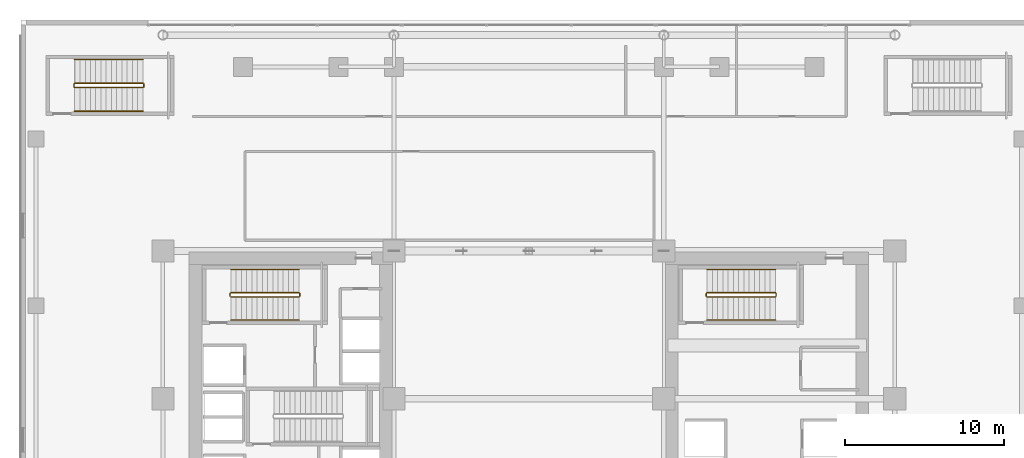
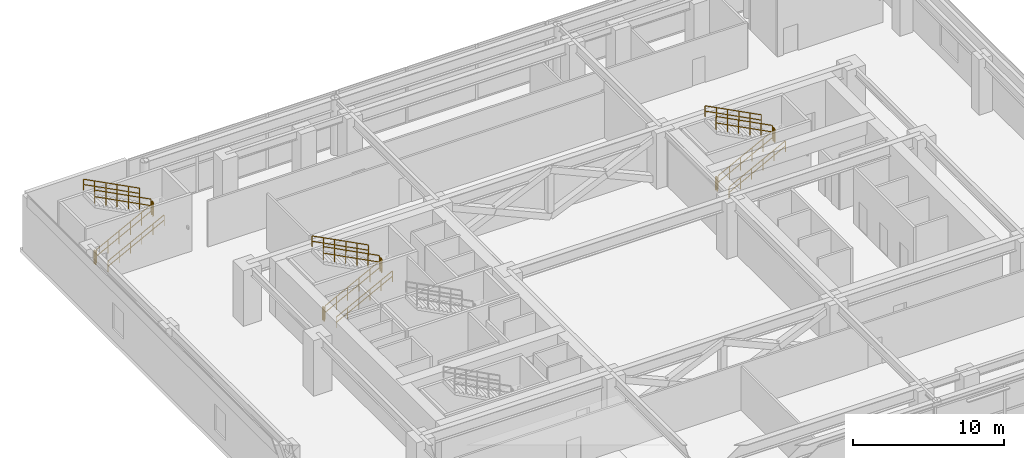
# One storey, part 26 of 28: 18 railings.
"""IFC4 building model written with IfcOpenShell, lengths in metres."""

from ifc_helpers import new_model, si_unit, direction, frame, origin, origin_2d, place, context, subcontext, project, spatial, rectangle, extrude, material, type_object, element, save


model = new_model("IFC4")

# Units and contexts
model_context = context("Model", 3, precision=1e-05, world=origin(), true_north=direction((0.0, 1.0)))
body_context = subcontext(model_context, "Body", "Model", "MODEL_VIEW")
ifc_project = project(units=[si_unit("LENGTHUNIT", "METRE"), si_unit("AREAUNIT", "SQUARE_METRE"), si_unit("VOLUMEUNIT", "CUBIC_METRE"), si_unit("PLANEANGLEUNIT", "RADIAN"), si_unit("MASSUNIT", "GRAM", prefix="KILO")], contexts=[model_context])

# Site, building, storey
site_placement = place(None, origin())
site = spatial("IfcSite", under=ifc_project, at=site_placement, CompositionType="ELEMENT")
building_placement = place(site_placement, origin())
building = spatial("IfcBuilding", under=site, at=building_placement, Name="Ocotamira Hotel", CompositionType="ELEMENT")
storey_placement = place(building_placement, frame((0.0, 0.0, 24.0)))
storey = spatial("IfcBuildingStorey", under=building, at=storey_placement, Name="L05", CompositionType="ELEMENT", Elevation=24.0)

# Railings
ifc_material_1 = material(Name="Brushed stainless steel handrail", Category="steel")
railing_type_1 = type_object("IfcRailingType", Name="RL-HAND-900", PredefinedType="HANDRAIL", material=ifc_material_1)
railing_1_placement = place(storey_placement, frame((13.22998046875, 33.10009765625, 0.3427734375)))
element("IfcRailing", 1, at=railing_1_placement, inside=storey, type_object=railing_type_1, Name="L05 ST-2 stair handrail 1", PredefinedType="HANDRAIL", context=body_context, shape_type="SweptSolid", body=[
    extrude(rectangle(XDim=0.048095703125, YDim=0.048095703125, at=origin_2d()), frame((0.0, 0.0, 0.8759765625), z_axis=(0.887391199149, 0.0, 0.46101720106), x_axis=(0.0, 1.0, 0.0)), (0.0, 0.0, 1.0), 4.83447265625),
    extrude(rectangle(XDim=0.048095703125, YDim=0.048095703125, at=origin_2d()), frame((0.0, 0.0, 0.449951171875), z_axis=(0.887391199149, 0.0, 0.46101720106), x_axis=(0.0, 1.0, 0.0)), (0.0, 0.0, 1.0), 4.83447265625),
    extrude(rectangle(XDim=0.0419921875, YDim=0.0419921875, at=origin_2d()), origin(), (0.0, 0.0, 1.0), 0.851806640625),
    extrude(rectangle(XDim=0.0419921875, YDim=0.0419921875, at=origin_2d()), frame((0.85791015625, 0.0, 0.44580078125)), (0.0, 0.0, 1.0), 0.851806640625),
    extrude(rectangle(XDim=0.0419921875, YDim=0.0419921875, at=origin_2d()), frame((1.716064453125, 0.0, 0.8916015625)), (0.0, 0.0, 1.0), 0.851806640625),
    extrude(rectangle(XDim=0.0419921875, YDim=0.0419921875, at=origin_2d()), frame((2.573974609375, 0.0, 1.337158203125)), (0.0, 0.0, 1.0), 0.851806640625),
    extrude(rectangle(XDim=0.0419921875, YDim=0.0419921875, at=origin_2d()), frame((3.43212890625, 0.0, 1.782958984375)), (0.0, 0.0, 1.0), 0.851806640625),
    extrude(rectangle(XDim=0.0419921875, YDim=0.0419921875, at=origin_2d()), frame((4.2900390625, 0.0, 2.228759765625)), (0.0, 0.0, 1.0), 0.851806640625),
])
railing_2_placement = place(storey_placement, frame((17.52001953125, 36.280029296875, 2.742919921875)))
element("IfcRailing", 2, at=railing_2_placement, inside=storey, type_object=railing_type_1, Name="L05 ST-2 stair handrail 2", PredefinedType="HANDRAIL", context=body_context, shape_type="SweptSolid", body=[
    extrude(rectangle(XDim=0.048095703125, YDim=0.048095703125, at=origin_2d()), frame((0.0, 0.0, 0.8759765625), z_axis=(-0.887411858541, 0.0, 0.46097743255), x_axis=(0.0, -1.0, 0.0)), (0.0, 0.0, 1.0), 4.834228515625),
    extrude(rectangle(XDim=0.048095703125, YDim=0.048095703125, at=origin_2d()), frame((0.0, 0.0, 0.449951171875), z_axis=(-0.887411858541, 0.0, 0.46097743255), x_axis=(0.0, -1.0, 0.0)), (0.0, 0.0, 1.0), 4.834228515625),
    extrude(rectangle(XDim=0.0419921875, YDim=0.0419921875, at=origin_2d()), origin(), (0.0, 0.0, 1.0), 0.851806640625),
    extrude(rectangle(XDim=0.0419921875, YDim=0.0419921875, at=origin_2d()), frame((-0.85791015625, 0.0, 0.44580078125)), (0.0, 0.0, 1.0), 0.851806640625),
    extrude(rectangle(XDim=0.0419921875, YDim=0.0419921875, at=origin_2d()), frame((-1.716064453125, 0.0, 0.891357421875)), (0.0, 0.0, 1.0), 0.851806640625),
    extrude(rectangle(XDim=0.0419921875, YDim=0.0419921875, at=origin_2d()), frame((-2.573974609375, 0.0, 1.337158203125)), (0.0, 0.0, 1.0), 0.851806640625),
    extrude(rectangle(XDim=0.0419921875, YDim=0.0419921875, at=origin_2d()), frame((-3.43212890625, 0.0, 1.78271484375)), (0.0, 0.0, 1.0), 0.851806640625),
    extrude(rectangle(XDim=0.0419921875, YDim=0.0419921875, at=origin_2d()), frame((-4.2900390625, 0.0, 2.228515625)), (0.0, 0.0, 1.0), 0.851806640625),
])
railing_3_placement = place(storey_placement, frame((43.22998046875, 33.10009765625, 0.3427734375)))
element("IfcRailing", 3, at=railing_3_placement, inside=storey, type_object=railing_type_1, Name="L05 ST-4 stair handrail 1", PredefinedType="HANDRAIL", context=body_context, shape_type="SweptSolid", body=[
    extrude(rectangle(XDim=0.048095703125, YDim=0.048095703125, at=origin_2d()), frame((0.0, 0.0, 0.8759765625), z_axis=(0.887391199149, 0.0, 0.46101720106), x_axis=(0.0, 1.0, 0.0)), (0.0, 0.0, 1.0), 4.83447265625),
    extrude(rectangle(XDim=0.048095703125, YDim=0.048095703125, at=origin_2d()), frame((0.0, 0.0, 0.449951171875), z_axis=(0.887391199149, 0.0, 0.46101720106), x_axis=(0.0, 1.0, 0.0)), (0.0, 0.0, 1.0), 4.83447265625),
    extrude(rectangle(XDim=0.0419921875, YDim=0.0419921875, at=origin_2d()), origin(), (0.0, 0.0, 1.0), 0.851806640625),
    extrude(rectangle(XDim=0.0419921875, YDim=0.0419921875, at=origin_2d()), frame((0.85791015625, 0.0, 0.44580078125)), (0.0, 0.0, 1.0), 0.851806640625),
    extrude(rectangle(XDim=0.0419921875, YDim=0.0419921875, at=origin_2d()), frame((1.716064453125, 0.0, 0.8916015625)), (0.0, 0.0, 1.0), 0.851806640625),
    extrude(rectangle(XDim=0.0419921875, YDim=0.0419921875, at=origin_2d()), frame((2.573974609375, 0.0, 1.337158203125)), (0.0, 0.0, 1.0), 0.851806640625),
    extrude(rectangle(XDim=0.0419921875, YDim=0.0419921875, at=origin_2d()), frame((3.43212890625, 0.0, 1.782958984375)), (0.0, 0.0, 1.0), 0.851806640625),
    extrude(rectangle(XDim=0.0419921875, YDim=0.0419921875, at=origin_2d()), frame((4.2900390625, 0.0, 2.228759765625)), (0.0, 0.0, 1.0), 0.851806640625),
])
railing_4_placement = place(storey_placement, frame((47.52001953125, 36.280029296875, 2.742919921875)))
element("IfcRailing", 4, at=railing_4_placement, inside=storey, type_object=railing_type_1, Name="L05 ST-4 stair handrail 2", PredefinedType="HANDRAIL", context=body_context, shape_type="SweptSolid", body=[
    extrude(rectangle(XDim=0.048095703125, YDim=0.048095703125, at=origin_2d()), frame((0.0, 0.0, 0.8759765625), z_axis=(-0.887411858541, 0.0, 0.46097743255), x_axis=(0.0, -1.0, 0.0)), (0.0, 0.0, 1.0), 4.834228515625),
    extrude(rectangle(XDim=0.048095703125, YDim=0.048095703125, at=origin_2d()), frame((0.0, 0.0, 0.449951171875), z_axis=(-0.887411858541, 0.0, 0.46097743255), x_axis=(0.0, -1.0, 0.0)), (0.0, 0.0, 1.0), 4.834228515625),
    extrude(rectangle(XDim=0.0419921875, YDim=0.0419921875, at=origin_2d()), origin(), (0.0, 0.0, 1.0), 0.851806640625),
    extrude(rectangle(XDim=0.0419921875, YDim=0.0419921875, at=origin_2d()), frame((-0.85791015625, 0.0, 0.44580078125)), (0.0, 0.0, 1.0), 0.851806640625),
    extrude(rectangle(XDim=0.0419921875, YDim=0.0419921875, at=origin_2d()), frame((-1.716064453125, 0.0, 0.891357421875)), (0.0, 0.0, 1.0), 0.851806640625),
    extrude(rectangle(XDim=0.0419921875, YDim=0.0419921875, at=origin_2d()), frame((-2.573974609375, 0.0, 1.337158203125)), (0.0, 0.0, 1.0), 0.851806640625),
    extrude(rectangle(XDim=0.0419921875, YDim=0.0419921875, at=origin_2d()), frame((-3.43212890625, 0.0, 1.78271484375)), (0.0, 0.0, 1.0), 0.851806640625),
    extrude(rectangle(XDim=0.0419921875, YDim=0.0419921875, at=origin_2d()), frame((-4.2900390625, 0.0, 2.228515625)), (0.0, 0.0, 1.0), 0.851806640625),
])
railing_5_placement = place(storey_placement, frame((3.39990234375, 46.25, 0.3427734375)))
element("IfcRailing", 5, at=railing_5_placement, inside=storey, type_object=railing_type_1, Name="L05 ST-5 stair handrail 1", PredefinedType="HANDRAIL", context=body_context, shape_type="SweptSolid", body=[
    extrude(rectangle(XDim=0.048095703125, YDim=0.048095703125, at=origin_2d()), frame((0.0, 0.0, 0.8759765625), z_axis=(0.887391199149, 0.0, 0.46101720106), x_axis=(0.0, 1.0, 0.0)), (0.0, 0.0, 1.0), 4.83447265625),
    extrude(rectangle(XDim=0.048095703125, YDim=0.048095703125, at=origin_2d()), frame((0.0, 0.0, 0.449951171875), z_axis=(0.887391199149, 0.0, 0.46101720106), x_axis=(0.0, 1.0, 0.0)), (0.0, 0.0, 1.0), 4.83447265625),
    extrude(rectangle(XDim=0.0419921875, YDim=0.0419921875, at=origin_2d()), origin(), (0.0, 0.0, 1.0), 0.851806640625),
    extrude(rectangle(XDim=0.0419921875, YDim=0.0419921875, at=origin_2d()), frame((0.85791015625, 0.0, 0.44580078125)), (0.0, 0.0, 1.0), 0.851806640625),
    extrude(rectangle(XDim=0.0419921875, YDim=0.0419921875, at=origin_2d()), frame((1.716064453125, 0.0, 0.8916015625)), (0.0, 0.0, 1.0), 0.851806640625),
    extrude(rectangle(XDim=0.0419921875, YDim=0.0419921875, at=origin_2d()), frame((2.573974609375, 0.0, 1.337158203125)), (0.0, 0.0, 1.0), 0.851806640625),
    extrude(rectangle(XDim=0.0419921875, YDim=0.0419921875, at=origin_2d()), frame((3.43212890625, 0.0, 1.782958984375)), (0.0, 0.0, 1.0), 0.851806640625),
    extrude(rectangle(XDim=0.0419921875, YDim=0.0419921875, at=origin_2d()), frame((4.2900390625, 0.0, 2.228759765625)), (0.0, 0.0, 1.0), 0.851806640625),
])
railing_6_placement = place(storey_placement, frame((7.68994140625, 49.510009765625, 2.742919921875)))
element("IfcRailing", 6, at=railing_6_placement, inside=storey, type_object=railing_type_1, Name="L05 ST-5 stair handrail 2", PredefinedType="HANDRAIL", context=body_context, shape_type="SweptSolid", body=[
    extrude(rectangle(XDim=0.048095703125, YDim=0.048095703125, at=origin_2d()), frame((0.0, 0.0, 0.8759765625), z_axis=(-0.887411858541, 0.0, 0.46097743255), x_axis=(0.0, -1.0, 0.0)), (0.0, 0.0, 1.0), 4.834228515625),
    extrude(rectangle(XDim=0.048095703125, YDim=0.048095703125, at=origin_2d()), frame((0.0, 0.0, 0.449951171875), z_axis=(-0.887411858541, 0.0, 0.46097743255), x_axis=(0.0, -1.0, 0.0)), (0.0, 0.0, 1.0), 4.834228515625),
    extrude(rectangle(XDim=0.0419921875, YDim=0.0419921875, at=origin_2d()), origin(), (0.0, 0.0, 1.0), 0.851806640625),
    extrude(rectangle(XDim=0.0419921875, YDim=0.0419921875, at=origin_2d()), frame((-0.85791015625, 0.0, 0.44580078125)), (0.0, 0.0, 1.0), 0.851806640625),
    extrude(rectangle(XDim=0.0419921875, YDim=0.0419921875, at=origin_2d()), frame((-1.716064453125, 0.0, 0.891357421875)), (0.0, 0.0, 1.0), 0.851806640625),
    extrude(rectangle(XDim=0.0419921875, YDim=0.0419921875, at=origin_2d()), frame((-2.573974609375, 0.0, 1.337158203125)), (0.0, 0.0, 1.0), 0.851806640625),
    extrude(rectangle(XDim=0.0419921875, YDim=0.0419921875, at=origin_2d()), frame((-3.43212890625, 0.0, 1.78271484375)), (0.0, 0.0, 1.0), 0.851806640625),
    extrude(rectangle(XDim=0.0419921875, YDim=0.0419921875, at=origin_2d()), frame((-4.2900390625, 0.0, 2.228515625)), (0.0, 0.0, 1.0), 0.851806640625),
])
ifc_material_2 = material(Name="Painted steel stair guardrail", Category="steel")
railing_type_2 = type_object("IfcRailingType", Name="RL-STAIR-1100", PredefinedType="GUARDRAIL", material=ifc_material_2)
railing_7_placement = place(storey_placement, frame((13.22998046875, 34.56005859375, 0.17138671875)))
element("IfcRailing", 7, at=railing_7_placement, inside=storey, type_object=railing_type_2, Name="L05 ST-2 stair guard 1", PredefinedType="GUARDRAIL", context=body_context, shape_type="SweptSolid", body=[
    extrude(rectangle(XDim=0.048095703125, YDim=0.048095703125, at=origin_2d()), frame((0.0, 0.0, 1.076171875), z_axis=(0.887411858541, 0.0, 0.46097743255), x_axis=(0.0, 1.0, 0.0)), (0.0, 0.0, 1.0), 4.834228515625),
    extrude(rectangle(XDim=0.048095703125, YDim=0.048095703125, at=origin_2d()), frame((0.0, 0.0, 0.550048828125), z_axis=(0.887411858541, 0.0, 0.46097743255), x_axis=(0.0, 1.0, 0.0)), (0.0, 0.0, 1.0), 4.834228515625),
    extrude(rectangle(XDim=0.0419921875, YDim=0.0419921875, at=origin_2d()), origin(), (0.0, 0.0, 1.0), 1.052001953125),
    extrude(rectangle(XDim=0.0419921875, YDim=0.0419921875, at=origin_2d()), frame((0.85791015625, 0.0, 0.44580078125)), (0.0, 0.0, 1.0), 1.052001953125),
    extrude(rectangle(XDim=0.0419921875, YDim=0.0419921875, at=origin_2d()), frame((1.716064453125, 0.0, 0.891357421875)), (0.0, 0.0, 1.0), 1.052001953125),
    extrude(rectangle(XDim=0.0419921875, YDim=0.0419921875, at=origin_2d()), frame((2.573974609375, 0.0, 1.337158203125)), (0.0, 0.0, 1.0), 1.052001953125),
    extrude(rectangle(XDim=0.0419921875, YDim=0.0419921875, at=origin_2d()), frame((3.43212890625, 0.0, 1.78271484375)), (0.0, 0.0, 1.0), 1.052001953125),
    extrude(rectangle(XDim=0.0419921875, YDim=0.0419921875, at=origin_2d()), frame((4.2900390625, 0.0, 2.228515625)), (0.0, 0.0, 1.0), 1.052001953125),
])
railing_8_placement = place(storey_placement, frame((17.570068359375, 34.610107421875, 2.39990234375)))
element("IfcRailing", 8, at=railing_8_placement, inside=storey, type_object=railing_type_2, Name="L05 ST-2 stair guard 2", PredefinedType="GUARDRAIL", context=body_context, shape_type="SweptSolid", body=[
    extrude(rectangle(XDim=0.048095703125, YDim=0.048095703125, at=origin_2d()), frame((0.0, 0.0, 1.076171875), z_axis=(0.0, 1.0, 0.0), x_axis=(-1.0, 0.0, 0.0)), (0.0, 0.0, 1.0), 0.159912109375),
    extrude(rectangle(XDim=0.048095703125, YDim=0.048095703125, at=origin_2d()), frame((0.0, 0.0, 0.550048828125), z_axis=(0.0, 1.0, 0.0), x_axis=(-1.0, 0.0, 0.0)), (0.0, 0.0, 1.0), 0.159912109375),
    extrude(rectangle(XDim=0.0419921875, YDim=0.0419921875, at=origin_2d()), origin(), (0.0, 0.0, 1.0), 1.052001953125),
    extrude(rectangle(XDim=0.0419921875, YDim=0.0419921875, at=origin_2d()), frame((0.0, 0.159912109375, 0.0)), (0.0, 0.0, 1.0), 1.052001953125),
])
railing_9_placement = place(storey_placement, frame((17.52001953125, 34.820068359375, 2.571533203125)))
element("IfcRailing", 9, at=railing_9_placement, inside=storey, type_object=railing_type_2, Name="L05 ST-2 stair guard 3", PredefinedType="GUARDRAIL", context=body_context, shape_type="SweptSolid", body=[
    extrude(rectangle(XDim=0.048095703125, YDim=0.048095703125, at=origin_2d()), frame((0.0, 0.0, 1.076171875), z_axis=(-0.887411858541, 0.0, 0.46097743255), x_axis=(0.0, -1.0, 0.0)), (0.0, 0.0, 1.0), 4.834228515625),
    extrude(rectangle(XDim=0.048095703125, YDim=0.048095703125, at=origin_2d()), frame((0.0, 0.0, 0.550048828125), z_axis=(-0.887411858541, 0.0, 0.46097743255), x_axis=(0.0, -1.0, 0.0)), (0.0, 0.0, 1.0), 4.834228515625),
    extrude(rectangle(XDim=0.0419921875, YDim=0.0419921875, at=origin_2d()), origin(), (0.0, 0.0, 1.0), 1.052001953125),
    extrude(rectangle(XDim=0.0419921875, YDim=0.0419921875, at=origin_2d()), frame((-0.85791015625, 0.0, 0.44580078125)), (0.0, 0.0, 1.0), 1.052001953125),
    extrude(rectangle(XDim=0.0419921875, YDim=0.0419921875, at=origin_2d()), frame((-1.716064453125, 0.0, 0.891357421875)), (0.0, 0.0, 1.0), 1.052001953125),
    extrude(rectangle(XDim=0.0419921875, YDim=0.0419921875, at=origin_2d()), frame((-2.573974609375, 0.0, 1.337158203125)), (0.0, 0.0, 1.0), 1.052001953125),
    extrude(rectangle(XDim=0.0419921875, YDim=0.0419921875, at=origin_2d()), frame((-3.43212890625, 0.0, 1.78271484375)), (0.0, 0.0, 1.0), 1.052001953125),
    extrude(rectangle(XDim=0.0419921875, YDim=0.0419921875, at=origin_2d()), frame((-4.2900390625, 0.0, 2.228515625)), (0.0, 0.0, 1.0), 1.052001953125),
])
railing_10_placement = place(storey_placement, frame((13.179931640625, 34.610107421875, 0.0)))
element("IfcRailing", 10, at=railing_10_placement, inside=storey, type_object=railing_type_2, Name="L05 ST-2 stair guard 4", PredefinedType="GUARDRAIL", context=body_context, shape_type="SweptSolid", body=[
    extrude(rectangle(XDim=0.048095703125, YDim=0.048095703125, at=origin_2d()), frame((0.0, 0.0, 1.076171875), z_axis=(0.0, 1.0, 0.0), x_axis=(-1.0, 0.0, 0.0)), (0.0, 0.0, 1.0), 0.159912109375),
    extrude(rectangle(XDim=0.048095703125, YDim=0.048095703125, at=origin_2d()), frame((0.0, 0.0, 0.550048828125), z_axis=(0.0, 1.0, 0.0), x_axis=(-1.0, 0.0, 0.0)), (0.0, 0.0, 1.0), 0.159912109375),
    extrude(rectangle(XDim=0.0419921875, YDim=0.0419921875, at=origin_2d()), origin(), (0.0, 0.0, 1.0), 1.052001953125),
    extrude(rectangle(XDim=0.0419921875, YDim=0.0419921875, at=origin_2d()), frame((0.0, 0.159912109375, 0.0)), (0.0, 0.0, 1.0), 1.052001953125),
])
railing_11_placement = place(storey_placement, frame((43.22998046875, 34.56005859375, 0.17138671875)))
element("IfcRailing", 11, at=railing_11_placement, inside=storey, type_object=railing_type_2, Name="L05 ST-4 stair guard 1", PredefinedType="GUARDRAIL", context=body_context, shape_type="SweptSolid", body=[
    extrude(rectangle(XDim=0.048095703125, YDim=0.048095703125, at=origin_2d()), frame((0.0, 0.0, 1.076171875), z_axis=(0.887411858541, 0.0, 0.46097743255), x_axis=(0.0, 1.0, 0.0)), (0.0, 0.0, 1.0), 4.834228515625),
    extrude(rectangle(XDim=0.048095703125, YDim=0.048095703125, at=origin_2d()), frame((0.0, 0.0, 0.550048828125), z_axis=(0.887411858541, 0.0, 0.46097743255), x_axis=(0.0, 1.0, 0.0)), (0.0, 0.0, 1.0), 4.834228515625),
    extrude(rectangle(XDim=0.0419921875, YDim=0.0419921875, at=origin_2d()), origin(), (0.0, 0.0, 1.0), 1.052001953125),
    extrude(rectangle(XDim=0.0419921875, YDim=0.0419921875, at=origin_2d()), frame((0.85791015625, 0.0, 0.44580078125)), (0.0, 0.0, 1.0), 1.052001953125),
    extrude(rectangle(XDim=0.0419921875, YDim=0.0419921875, at=origin_2d()), frame((1.716064453125, 0.0, 0.891357421875)), (0.0, 0.0, 1.0), 1.052001953125),
    extrude(rectangle(XDim=0.0419921875, YDim=0.0419921875, at=origin_2d()), frame((2.573974609375, 0.0, 1.337158203125)), (0.0, 0.0, 1.0), 1.052001953125),
    extrude(rectangle(XDim=0.0419921875, YDim=0.0419921875, at=origin_2d()), frame((3.43212890625, 0.0, 1.78271484375)), (0.0, 0.0, 1.0), 1.052001953125),
    extrude(rectangle(XDim=0.0419921875, YDim=0.0419921875, at=origin_2d()), frame((4.2900390625, 0.0, 2.228515625)), (0.0, 0.0, 1.0), 1.052001953125),
])
railing_12_placement = place(storey_placement, frame((47.570068359375, 34.610107421875, 2.39990234375)))
element("IfcRailing", 12, at=railing_12_placement, inside=storey, type_object=railing_type_2, Name="L05 ST-4 stair guard 2", PredefinedType="GUARDRAIL", context=body_context, shape_type="SweptSolid", body=[
    extrude(rectangle(XDim=0.048095703125, YDim=0.048095703125, at=origin_2d()), frame((0.0, 0.0, 1.076171875), z_axis=(0.0, 1.0, 0.0), x_axis=(-1.0, 0.0, 0.0)), (0.0, 0.0, 1.0), 0.159912109375),
    extrude(rectangle(XDim=0.048095703125, YDim=0.048095703125, at=origin_2d()), frame((0.0, 0.0, 0.550048828125), z_axis=(0.0, 1.0, 0.0), x_axis=(-1.0, 0.0, 0.0)), (0.0, 0.0, 1.0), 0.159912109375),
    extrude(rectangle(XDim=0.0419921875, YDim=0.0419921875, at=origin_2d()), origin(), (0.0, 0.0, 1.0), 1.052001953125),
    extrude(rectangle(XDim=0.0419921875, YDim=0.0419921875, at=origin_2d()), frame((0.0, 0.159912109375, 0.0)), (0.0, 0.0, 1.0), 1.052001953125),
])
railing_13_placement = place(storey_placement, frame((47.52001953125, 34.820068359375, 2.571533203125)))
element("IfcRailing", 13, at=railing_13_placement, inside=storey, type_object=railing_type_2, Name="L05 ST-4 stair guard 3", PredefinedType="GUARDRAIL", context=body_context, shape_type="SweptSolid", body=[
    extrude(rectangle(XDim=0.048095703125, YDim=0.048095703125, at=origin_2d()), frame((0.0, 0.0, 1.076171875), z_axis=(-0.887411858541, 0.0, 0.46097743255), x_axis=(0.0, -1.0, 0.0)), (0.0, 0.0, 1.0), 4.834228515625),
    extrude(rectangle(XDim=0.048095703125, YDim=0.048095703125, at=origin_2d()), frame((0.0, 0.0, 0.550048828125), z_axis=(-0.887411858541, 0.0, 0.46097743255), x_axis=(0.0, -1.0, 0.0)), (0.0, 0.0, 1.0), 4.834228515625),
    extrude(rectangle(XDim=0.0419921875, YDim=0.0419921875, at=origin_2d()), origin(), (0.0, 0.0, 1.0), 1.052001953125),
    extrude(rectangle(XDim=0.0419921875, YDim=0.0419921875, at=origin_2d()), frame((-0.85791015625, 0.0, 0.44580078125)), (0.0, 0.0, 1.0), 1.052001953125),
    extrude(rectangle(XDim=0.0419921875, YDim=0.0419921875, at=origin_2d()), frame((-1.716064453125, 0.0, 0.891357421875)), (0.0, 0.0, 1.0), 1.052001953125),
    extrude(rectangle(XDim=0.0419921875, YDim=0.0419921875, at=origin_2d()), frame((-2.573974609375, 0.0, 1.337158203125)), (0.0, 0.0, 1.0), 1.052001953125),
    extrude(rectangle(XDim=0.0419921875, YDim=0.0419921875, at=origin_2d()), frame((-3.43212890625, 0.0, 1.78271484375)), (0.0, 0.0, 1.0), 1.052001953125),
    extrude(rectangle(XDim=0.0419921875, YDim=0.0419921875, at=origin_2d()), frame((-4.2900390625, 0.0, 2.228515625)), (0.0, 0.0, 1.0), 1.052001953125),
])
railing_14_placement = place(storey_placement, frame((43.179931640625, 34.610107421875, 0.0)))
element("IfcRailing", 14, at=railing_14_placement, inside=storey, type_object=railing_type_2, Name="L05 ST-4 stair guard 4", PredefinedType="GUARDRAIL", context=body_context, shape_type="SweptSolid", body=[
    extrude(rectangle(XDim=0.048095703125, YDim=0.048095703125, at=origin_2d()), frame((0.0, 0.0, 1.076171875), z_axis=(0.0, 1.0, 0.0), x_axis=(-1.0, 0.0, 0.0)), (0.0, 0.0, 1.0), 0.159912109375),
    extrude(rectangle(XDim=0.048095703125, YDim=0.048095703125, at=origin_2d()), frame((0.0, 0.0, 0.550048828125), z_axis=(0.0, 1.0, 0.0), x_axis=(-1.0, 0.0, 0.0)), (0.0, 0.0, 1.0), 0.159912109375),
    extrude(rectangle(XDim=0.0419921875, YDim=0.0419921875, at=origin_2d()), origin(), (0.0, 0.0, 1.0), 1.052001953125),
    extrude(rectangle(XDim=0.0419921875, YDim=0.0419921875, at=origin_2d()), frame((0.0, 0.159912109375, 0.0)), (0.0, 0.0, 1.0), 1.052001953125),
])
railing_15_placement = place(storey_placement, frame((3.39990234375, 47.75, 0.17138671875)))
element("IfcRailing", 15, at=railing_15_placement, inside=storey, type_object=railing_type_2, Name="L05 ST-5 stair guard 1", PredefinedType="GUARDRAIL", context=body_context, shape_type="SweptSolid", body=[
    extrude(rectangle(XDim=0.048095703125, YDim=0.048095703125, at=origin_2d()), frame((0.0, 0.0, 1.076171875), z_axis=(0.887411858541, 0.0, 0.46097743255), x_axis=(0.0, 1.0, 0.0)), (0.0, 0.0, 1.0), 4.834228515625),
    extrude(rectangle(XDim=0.048095703125, YDim=0.048095703125, at=origin_2d()), frame((0.0, 0.0, 0.550048828125), z_axis=(0.887411858541, 0.0, 0.46097743255), x_axis=(0.0, 1.0, 0.0)), (0.0, 0.0, 1.0), 4.834228515625),
    extrude(rectangle(XDim=0.0419921875, YDim=0.0419921875, at=origin_2d()), origin(), (0.0, 0.0, 1.0), 1.052001953125),
    extrude(rectangle(XDim=0.0419921875, YDim=0.0419921875, at=origin_2d()), frame((0.85791015625, 0.0, 0.44580078125)), (0.0, 0.0, 1.0), 1.052001953125),
    extrude(rectangle(XDim=0.0419921875, YDim=0.0419921875, at=origin_2d()), frame((1.716064453125, 0.0, 0.891357421875)), (0.0, 0.0, 1.0), 1.052001953125),
    extrude(rectangle(XDim=0.0419921875, YDim=0.0419921875, at=origin_2d()), frame((2.573974609375, 0.0, 1.337158203125)), (0.0, 0.0, 1.0), 1.052001953125),
    extrude(rectangle(XDim=0.0419921875, YDim=0.0419921875, at=origin_2d()), frame((3.43212890625, 0.0, 1.78271484375)), (0.0, 0.0, 1.0), 1.052001953125),
    extrude(rectangle(XDim=0.0419921875, YDim=0.0419921875, at=origin_2d()), frame((4.2900390625, 0.0, 2.228515625)), (0.0, 0.0, 1.0), 1.052001953125),
])
railing_16_placement = place(storey_placement, frame((7.739990234375, 47.800048828125, 2.39990234375)))
element("IfcRailing", 16, at=railing_16_placement, inside=storey, type_object=railing_type_2, Name="L05 ST-5 stair guard 2", PredefinedType="GUARDRAIL", context=body_context, shape_type="SweptSolid", body=[
    extrude(rectangle(XDim=0.048095703125, YDim=0.048095703125, at=origin_2d()), frame((0.0, 0.0, 1.076171875), z_axis=(0.0, 1.0, 0.0), x_axis=(-1.0, 0.0, 0.0)), (0.0, 0.0, 1.0), 0.159912109375),
    extrude(rectangle(XDim=0.048095703125, YDim=0.048095703125, at=origin_2d()), frame((0.0, 0.0, 0.550048828125), z_axis=(0.0, 1.0, 0.0), x_axis=(-1.0, 0.0, 0.0)), (0.0, 0.0, 1.0), 0.159912109375),
    extrude(rectangle(XDim=0.0419921875, YDim=0.0419921875, at=origin_2d()), origin(), (0.0, 0.0, 1.0), 1.052001953125),
    extrude(rectangle(XDim=0.0419921875, YDim=0.0419921875, at=origin_2d()), frame((0.0, 0.159912109375, 0.0)), (0.0, 0.0, 1.0), 1.052001953125),
])
railing_17_placement = place(storey_placement, frame((7.68994140625, 48.010009765625, 2.571533203125)))
element("IfcRailing", 17, at=railing_17_placement, inside=storey, type_object=railing_type_2, Name="L05 ST-5 stair guard 3", PredefinedType="GUARDRAIL", context=body_context, shape_type="SweptSolid", body=[
    extrude(rectangle(XDim=0.048095703125, YDim=0.048095703125, at=origin_2d()), frame((0.0, 0.0, 1.076171875), z_axis=(-0.887411858541, 0.0, 0.46097743255), x_axis=(0.0, -1.0, 0.0)), (0.0, 0.0, 1.0), 4.834228515625),
    extrude(rectangle(XDim=0.048095703125, YDim=0.048095703125, at=origin_2d()), frame((0.0, 0.0, 0.550048828125), z_axis=(-0.887411858541, 0.0, 0.46097743255), x_axis=(0.0, -1.0, 0.0)), (0.0, 0.0, 1.0), 4.834228515625),
    extrude(rectangle(XDim=0.0419921875, YDim=0.0419921875, at=origin_2d()), origin(), (0.0, 0.0, 1.0), 1.052001953125),
    extrude(rectangle(XDim=0.0419921875, YDim=0.0419921875, at=origin_2d()), frame((-0.85791015625, 0.0, 0.44580078125)), (0.0, 0.0, 1.0), 1.052001953125),
    extrude(rectangle(XDim=0.0419921875, YDim=0.0419921875, at=origin_2d()), frame((-1.716064453125, 0.0, 0.891357421875)), (0.0, 0.0, 1.0), 1.052001953125),
    extrude(rectangle(XDim=0.0419921875, YDim=0.0419921875, at=origin_2d()), frame((-2.573974609375, 0.0, 1.337158203125)), (0.0, 0.0, 1.0), 1.052001953125),
    extrude(rectangle(XDim=0.0419921875, YDim=0.0419921875, at=origin_2d()), frame((-3.43212890625, 0.0, 1.78271484375)), (0.0, 0.0, 1.0), 1.052001953125),
    extrude(rectangle(XDim=0.0419921875, YDim=0.0419921875, at=origin_2d()), frame((-4.2900390625, 0.0, 2.228515625)), (0.0, 0.0, 1.0), 1.052001953125),
])
railing_18_placement = place(storey_placement, frame((3.35009765625, 47.800048828125, 0.0)))
element("IfcRailing", 18, at=railing_18_placement, inside=storey, type_object=railing_type_2, Name="L05 ST-5 stair guard 4", PredefinedType="GUARDRAIL", context=body_context, shape_type="SweptSolid", body=[
    extrude(rectangle(XDim=0.048095703125, YDim=0.048095703125, at=origin_2d()), frame((0.0, 0.0, 1.076171875), z_axis=(0.0, 1.0, 0.0), x_axis=(-1.0, 0.0, 0.0)), (0.0, 0.0, 1.0), 0.159912109375),
    extrude(rectangle(XDim=0.048095703125, YDim=0.048095703125, at=origin_2d()), frame((0.0, 0.0, 0.550048828125), z_axis=(0.0, 1.0, 0.0), x_axis=(-1.0, 0.0, 0.0)), (0.0, 0.0, 1.0), 0.159912109375),
    extrude(rectangle(XDim=0.0419921875, YDim=0.0419921875, at=origin_2d()), origin(), (0.0, 0.0, 1.0), 1.052001953125),
    extrude(rectangle(XDim=0.0419921875, YDim=0.0419921875, at=origin_2d()), frame((0.0, 0.159912109375, 0.0)), (0.0, 0.0, 1.0), 1.052001953125),
])

save(model, "model.ifc")
